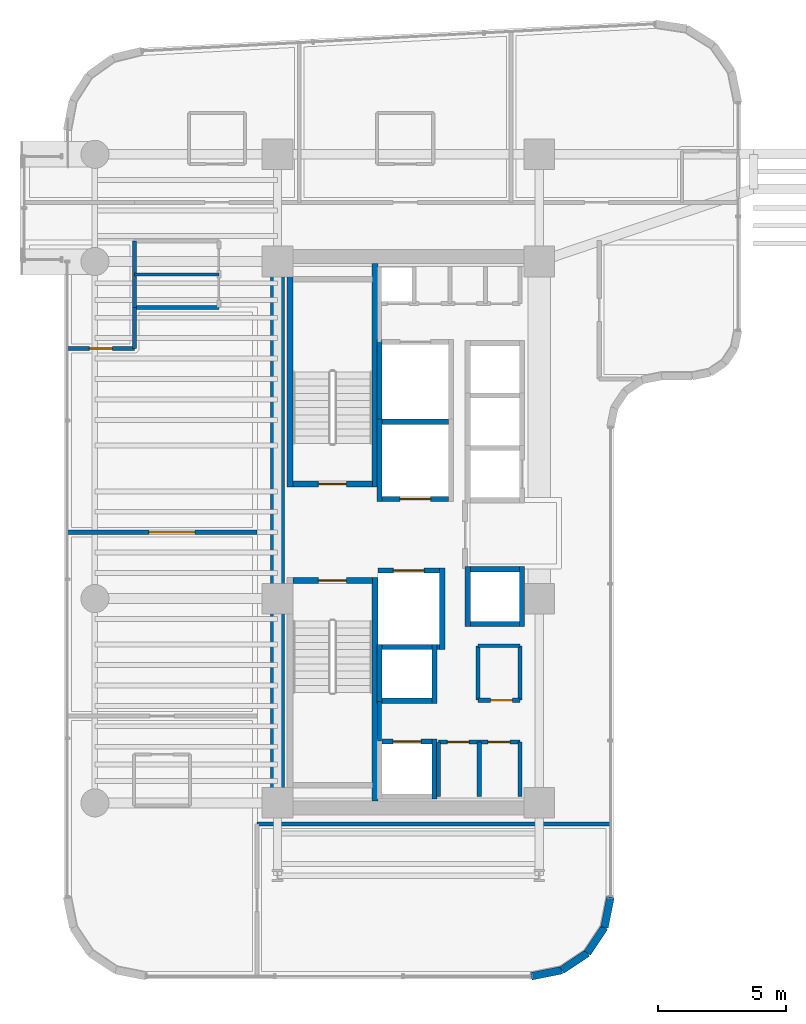
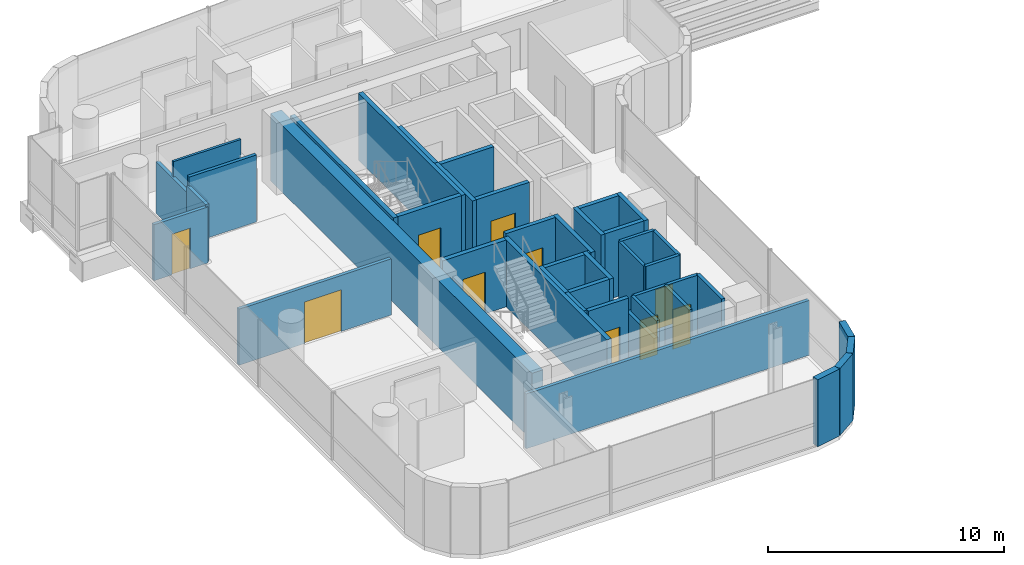
# One storey, part 28 of 36: 42 walls, 10 doors, 10 openings.
"""IFC4 building model written with IfcOpenShell, lengths in metres."""

from ifc_helpers import new_model, si_unit, direction, frame, frame_2d, origin, place, context, subcontext, project, spatial, rectangle, extrude, material, layer, layer_set, type_object, element, fill, save


model = new_model("IFC4")

# Units and contexts
model_context = context("Model", 3, precision=1e-05, world=origin(), true_north=direction((0.0, 1.0)))
body_context = subcontext(model_context, "Body", "Model", "MODEL_VIEW")
ifc_project = project(units=[si_unit("LENGTHUNIT", "METRE"), si_unit("AREAUNIT", "SQUARE_METRE"), si_unit("VOLUMEUNIT", "CUBIC_METRE"), si_unit("PLANEANGLEUNIT", "RADIAN"), si_unit("MASSUNIT", "GRAM", prefix="KILO")], contexts=[model_context])

# Site, building, storey
site_placement = place(None, origin())
site = spatial("IfcSite", under=ifc_project, at=site_placement, CompositionType="ELEMENT")
building_placement = place(site_placement, origin())
building = spatial("IfcBuilding", under=site, at=building_placement, Name="Valdorenza Pilgrim Sanctuary Tower", CompositionType="ELEMENT")
storey_placement = place(building_placement, frame((0.0, 0.0, 153.800048828125)))
storey = spatial("IfcBuildingStorey", under=building, at=storey_placement, Name="L39", CompositionType="ELEMENT", Elevation=153.800048828125)

# Wall
ifc_material_1 = material(Name="Acoustic twin-stud gypsum partition", Category="gypsum")
ifc_layer_1 = layer(ifc_material_1, 0.159912109375, Name="Acoustic twin-stud gypsum partition")
ifc_layer_set_1 = layer_set([ifc_layer_1], Name="Acoustic twin-stud gypsum partition")
wall_type_1 = type_object("IfcWallType", Name="WAL-COR-160", PredefinedType="PARTITIONING", material=ifc_layer_set_1)
wall_1_placement = place(storey_placement, frame((-18.64990234375, -8.179931640625, 0.0), z_axis=(0.0, 0.0, 1.0), x_axis=(0.0, 1.0, 0.0)))
element("IfcWall", 1, at=wall_1_placement, inside=storey, type_object=wall_type_1, Name="L39 Core A South Lift Hall West Wall", PredefinedType="PARTITIONING", context=body_context, shape_type="SweptSolid", body=[
    extrude(rectangle(XDim=1.559814453125, YDim=0.159912109375, at=frame_2d((0.77978515625, 0.0))), origin(), (0.0, 0.0, 1.0), 3.4599609375),
])

# Wall, openings, doors
wall_2_placement = place(storey_placement, frame((-16.35009765625, -8.219970703125, 0.0), z_axis=(0.0, 0.0, 1.0), x_axis=(1.0, 0.0, 0.0)))
wall_2 = element("IfcWall", 2, at=wall_2_placement, inside=storey, type_object=wall_type_1, Name="L39 Freed Shaft 1 North Wall", PredefinedType="PARTITIONING", context=body_context, shape_type="SweptSolid", body=[
    extrude(rectangle(XDim=3.2001953125, YDim=0.159912109375, at=frame_2d((1.60009765625, 0.0))), origin(), (0.0, 0.0, 1.0), 3.4599609375),
])
opening_1_placement = place(wall_2_placement, frame((0.35009765625, 0.0, 0.0)))
opening_1 = element("IfcOpeningElement", 3, at=opening_1_placement, cuts=wall_2, Name="Opening DR-RS1", PredefinedType="OPENING", context=body_context, shape_type="SweptSolid", body=[
    extrude(rectangle(XDim=0.85009765625, YDim=2.050048828125, at=frame_2d((0.425048828125, 1.02490234375))), frame((0.0, 0.0947265625, 0.0), z_axis=(0.0, -1.0, 0.0), x_axis=(1.0, 0.0, 0.0)), (0.0, 0.0, 1.0), 0.189697265625),
])
opening_2_placement = place(wall_2_placement, frame((1.949951171875, 0.0, 0.0)))
opening_2 = element("IfcOpeningElement", 4, at=opening_2_placement, cuts=wall_2, Name="Opening DR-RS1", PredefinedType="OPENING", context=body_context, shape_type="SweptSolid", body=[
    extrude(rectangle(XDim=0.85009765625, YDim=2.050048828125, at=frame_2d((0.425048828125, 1.02490234375))), frame((0.0, 0.0947265625, 0.0), z_axis=(0.0, -1.0, 0.0), x_axis=(1.0, 0.0, 0.0)), (0.0, 0.0, 1.0), 0.189697265625),
])
ifc_material_2 = material(Name="Painted galvanized steel", Category="steel")
door_type_1 = type_object("IfcDoorType", Name="DR-RSR-850", OperationType="NOTDEFINED", PredefinedType="DOOR", material=ifc_material_2)
door_1_placement = place(opening_1_placement, origin())
door_1 = element("IfcDoor", 5, at=door_1_placement, inside=storey, type_object=door_type_1, Name="L39 Linen Store Door", OperationType="SINGLE_SWING_LEFT", OverallHeight=2.050048828125, OverallWidth=0.85009765625, PredefinedType="DOOR", context=body_context, shape_type="SweptSolid", body=[
    extrude(rectangle(XDim=0.85009765625, YDim=2.050048828125, at=frame_2d((0.425048828125, 1.02490234375))), frame((0.0, 0.02490234375, 0.0), z_axis=(0.0, -1.0, 0.0), x_axis=(1.0, 0.0, 0.0)), (0.0, 0.0, 1.0), 0.050048828125),
])
fill(opening_1, door_1)
door_2_placement = place(opening_2_placement, origin())
door_2 = element("IfcDoor", 6, at=door_2_placement, inside=storey, type_object=door_type_1, Name="L39 Cot Store Door", OperationType="SINGLE_SWING_RIGHT", OverallHeight=2.050048828125, OverallWidth=0.85009765625, PredefinedType="DOOR", context=body_context, shape_type="SweptSolid", body=[
    extrude(rectangle(XDim=0.85009765625, YDim=2.050048828125, at=frame_2d((0.425048828125, 1.02490234375))), frame((0.0, 0.02490234375, 0.0), z_axis=(0.0, -1.0, 0.0), x_axis=(1.0, 0.0, 0.0)), (0.0, 0.0, 1.0), 0.050048828125),
])
fill(opening_2, door_2)

# Walls
for number, where, z_axis, x_axis, name in (
    (7, (-13.14990234375, -10.35009765625, 0.0), (0.0, 0.0, 1.0), (0.0, 1.0, 0.0), "L39 Freed Shaft 1 East Wall"),
    (8, (-14.75, -10.35009765625, 0.0), (0.0, 0.0, 1.0), (0.0, 1.0, 0.0), "L39 Freed Shaft 1 Split Wall"),
):
    element("IfcWall", number, at=place(storey_placement, frame(where, z_axis=z_axis, x_axis=x_axis)), inside=storey, type_object=wall_type_1, Name=name, PredefinedType="PARTITIONING", context=body_context, shape_type="SweptSolid", body=[
        extrude(rectangle(XDim=2.130126953125, YDim=0.159912109375, at=frame_2d((1.06494140625, 0.0))), origin(), (0.0, 0.0, 1.0), 3.4599609375),
    ])

# Wall, opening, door
wall_3_placement = place(storey_placement, frame((-14.800048828125, -6.580078125, 0.0), z_axis=(0.0, 0.0, 1.0), x_axis=(1.0, 0.0, 0.0)))
wall_3 = element("IfcWall", 9, at=wall_3_placement, inside=storey, type_object=wall_type_1, Name="L39 Freed Shaft 2 South Wall", PredefinedType="PARTITIONING", context=body_context, shape_type="SweptSolid", body=[
    extrude(rectangle(XDim=1.650146484375, YDim=0.159912109375, at=frame_2d((0.8251953125, 0.0))), origin(), (0.0, 0.0, 1.0), 3.4599609375),
])
opening_3_placement = place(wall_3_placement, frame((0.5, 0.0, 0.0)))
opening_3 = element("IfcOpeningElement", 10, at=opening_3_placement, cuts=wall_3, Name="Opening DR-RS1", PredefinedType="OPENING", context=body_context, shape_type="SweptSolid", body=[
    extrude(rectangle(XDim=0.85009765625, YDim=2.050048828125, at=frame_2d((0.425048828125, 1.02490234375))), frame((0.0, 0.0947265625, 0.0), z_axis=(0.0, -1.0, 0.0), x_axis=(1.0, 0.0, 0.0)), (0.0, 0.0, 1.0), 0.189697265625),
])
door_3_placement = place(opening_3_placement, origin())
door_3 = element("IfcDoor", 11, at=door_3_placement, inside=storey, type_object=door_type_1, Name="L39 Guest Tea Pantry Door", OperationType="SINGLE_SWING_LEFT", OverallHeight=2.050048828125, OverallWidth=0.85009765625, PredefinedType="DOOR", context=body_context, shape_type="SweptSolid", body=[
    extrude(rectangle(XDim=0.85009765625, YDim=2.050048828125, at=frame_2d((0.425048828125, 1.02490234375))), frame((0.0, 0.02490234375, 0.0), z_axis=(0.0, -1.0, 0.0), x_axis=(1.0, 0.0, 0.0)), (0.0, 0.0, 1.0), 0.050048828125),
])
fill(opening_3, door_3)

# Walls
wall_4_placement = place(storey_placement, frame((-13.14990234375, -6.580078125, 0.0), z_axis=(0.0, 0.0, 1.0), x_axis=(0.0, 1.0, 0.0)))
element("IfcWall", 12, at=wall_4_placement, inside=storey, type_object=wall_type_1, Name="L39 Freed Shaft 2 East Wall", PredefinedType="PARTITIONING", context=body_context, shape_type="SweptSolid", body=[
    extrude(rectangle(XDim=2.130126953125, YDim=0.159912109375, at=frame_2d((1.06494140625, 0.0))), origin(), (0.0, 0.0, 1.0), 3.4599609375),
])
wall_5_placement = place(storey_placement, frame((-28.25, 8.800048828125, 0.0), z_axis=(0.0, 0.0, 1.0), x_axis=(0.0, 1.0, 0.0)))
element("IfcWall", 13, at=wall_5_placement, inside=storey, type_object=wall_type_1, Name="L39 Washroom West Wall", PredefinedType="PARTITIONING", context=body_context, shape_type="SweptSolid", body=[
    extrude(rectangle(XDim=2.599853515625, YDim=0.159912109375, at=frame_2d((1.2998046875, 0.0))), origin(), (0.0, 0.0, 1.0), 2.666015625),
])
wall_6_placement = place(storey_placement, frame((-28.25, 8.800048828125, 0.0), z_axis=(0.0, 0.0, 1.0), x_axis=(1.0, 0.0, 0.0)))
element("IfcWall", 14, at=wall_6_placement, inside=storey, type_object=wall_type_1, Name="L39 Washroom South Wall", PredefinedType="PARTITIONING", context=body_context, shape_type="SweptSolid", body=[
    extrude(rectangle(XDim=3.300048828125, YDim=0.159912109375, at=frame_2d((1.64990234375, 0.0))), origin(), (0.0, 0.0, 1.0), 3.4599609375),
])
wall_7_placement = place(storey_placement, frame((-23.449951171875, -11.419921875, 0.0), z_axis=(0.0, 0.0, 1.0), x_axis=(1.0, 0.0, 0.0)))
element("IfcWall", 15, at=wall_7_placement, inside=storey, type_object=wall_type_1, Name="L39 South-East Pocket North Wall", PredefinedType="PARTITIONING", context=body_context, shape_type="SweptSolid", body=[
    extrude(rectangle(XDim=13.83984375, YDim=0.159912109375, at=frame_2d((6.919921875, 0.0))), origin(), (0.0, 0.0, 1.0), 2.833984375),
])

# Wall, opening, door
wall_8_placement = place(storey_placement, frame((-30.889892578125, 7.199951171875, 0.0), z_axis=(0.0, 0.0, 1.0), x_axis=(1.0, 0.0, 0.0)))
wall_8 = element("IfcWall", 16, at=wall_8_placement, inside=storey, type_object=wall_type_1, Name="L39 Cloister North Room Wall", PredefinedType="PARTITIONING", context=body_context, shape_type="SweptSolid", body=[
    extrude(rectangle(XDim=2.639892578125, YDim=0.159912109375, at=frame_2d((1.31982421875, 0.0))), origin(), (0.0, 0.0, 1.0), 2.89599609375),
])
opening_4_placement = place(wall_8_placement, frame((0.8701171875, 0.0, 0.0)))
opening_4 = element("IfcOpeningElement", 17, at=opening_4_placement, cuts=wall_8, Name="Opening DR-RM1", PredefinedType="OPENING", context=body_context, shape_type="SweptSolid", body=[
    extrude(rectangle(XDim=0.89990234375, YDim=2.10009765625, at=frame_2d((0.449951171875, 1.050048828125))), frame((0.0, 0.0947265625, 0.0), z_axis=(0.0, -1.0, 0.0), x_axis=(1.0, 0.0, 0.0)), (0.0, 0.0, 1.0), 0.189697265625),
])
ifc_material_3 = material(Name="Solid-core European oak timber", Category="wood")
door_type_2 = type_object("IfcDoorType", Name="DR-ROOM-900", OperationType="NOTDEFINED", PredefinedType="DOOR", material=ifc_material_3)
door_4_placement = place(opening_4_placement, origin())
door_4 = element("IfcDoor", 18, at=door_4_placement, inside=storey, type_object=door_type_2, Name="L39 Pastoral Scholar Office L39-CN1 Door", OperationType="SINGLE_SWING_RIGHT", OverallHeight=2.10009765625, OverallWidth=0.89990234375, PredefinedType="DOOR", context=body_context, shape_type="SweptSolid", body=[
    extrude(rectangle(XDim=0.89990234375, YDim=2.10009765625, at=frame_2d((0.449951171875, 1.050048828125))), frame((0.0, 0.02490234375, 0.0), z_axis=(0.0, -1.0, 0.0), x_axis=(1.0, 0.0, 0.0)), (0.0, 0.0, 1.0), 0.050048828125),
])
fill(opening_4, door_4)

# Wall
wall_9_placement = place(storey_placement, frame((-28.25, 7.199951171875, 0.0), z_axis=(0.0, 0.0, 1.0), x_axis=(0.0, 1.0, 0.0)))
element("IfcWall", 19, at=wall_9_placement, inside=storey, type_object=wall_type_1, Name="L39 Cloister NE Closure", PredefinedType="PARTITIONING", context=body_context, shape_type="SweptSolid", body=[
    extrude(rectangle(XDim=1.60009765625, YDim=0.159912109375, at=frame_2d((0.800048828125, 0.0))), origin(), (0.0, 0.0, 1.0), 2.988037109375),
])

# Wall, opening, door
wall_10_placement = place(storey_placement, frame((-30.889892578125, 0.0, 0.0), z_axis=(0.0, 0.0, 1.0), x_axis=(1.0, 0.0, 0.0)))
wall_10 = element("IfcWall", 20, at=wall_10_placement, inside=storey, type_object=wall_type_1, Name="L39 Cloister Mid Wall", PredefinedType="PARTITIONING", context=body_context, shape_type="SweptSolid", body=[
    extrude(rectangle(XDim=7.43994140625, YDim=0.159912109375, at=frame_2d((3.719970703125, 0.0))), origin(), (0.0, 0.0, 1.0), 2.89599609375),
])
opening_5_placement = place(wall_10_placement, frame((3.199951171875, 0.0, 0.0)))
opening_5 = element("IfcOpeningElement", 21, at=opening_5_placement, cuts=wall_10, Name="Opening DR-HL1", PredefinedType="OPENING", context=body_context, shape_type="SweptSolid", body=[
    extrude(rectangle(XDim=1.800048828125, YDim=2.14990234375, at=frame_2d((0.89990234375, 1.074951171875))), frame((0.0, 0.0947265625, 0.0), z_axis=(0.0, -1.0, 0.0), x_axis=(1.0, 0.0, 0.0)), (0.0, 0.0, 1.0), 0.189697265625),
])
ifc_material_4 = material(Name="Acoustic oak and vision-glass double door", Category="glass")
door_type_3 = type_object("IfcDoorType", Name="DR-HALL-1800", OperationType="NOTDEFINED", PredefinedType="DOOR", material=ifc_material_4)
door_5_placement = place(opening_5_placement, frame((1.800048828125, 0.0, 0.0), z_axis=(0.0, 0.0, 1.0), x_axis=(-1.0, 0.0, 0.0)))
door_5 = element("IfcDoor", 22, at=door_5_placement, inside=storey, type_object=door_type_3, Name="L39 Cloister Mid Double Door", OperationType="DOUBLE_DOOR_SINGLE_SWING", OverallHeight=2.14990234375, OverallWidth=1.800048828125, PredefinedType="DOOR", context=body_context, shape_type="SweptSolid", body=[
    extrude(rectangle(XDim=1.800048828125, YDim=2.14990234375, at=frame_2d((0.89990234375, 1.074951171875))), frame((0.0, 0.02490234375, 0.0), z_axis=(0.0, -1.0, 0.0), x_axis=(1.0, 0.0, 0.0)), (0.0, 0.0, 1.0), 0.050048828125),
])
fill(opening_5, door_5)

# Walls
ifc_material_5 = material(Name="Concrete C50/60", Category="concrete")
ifc_layer_2 = layer(ifc_material_5, 0.550048828125, Name="Concrete C50/60")
ifc_layer_set_2 = layer_set([ifc_layer_2], Name="Concrete C50/60")
wall_type_2 = type_object("IfcWallType", Name="WAL-COR-550", PredefinedType="SHEAR", material=ifc_layer_set_2)
wall_11_placement = place(storey_placement, frame((-22.64990234375, -11.074951171875, 0.0), z_axis=(0.0, 0.0, 1.0), x_axis=(0.0, 1.0, 0.0)))
element("IfcWall", 23, at=wall_11_placement, inside=storey, type_object=wall_type_2, Name="L39 Split Core A Shear Wall W", PredefinedType="SHEAR", context=body_context, shape_type="SweptSolid", body=[
    extrude(rectangle(XDim=22.14990234375, YDim=0.550048828125, at=frame_2d((11.074951171875, 0.0))), origin(), (0.0, 0.0, 1.0), 3.4599609375),
])
ifc_material_6 = material(Name="Honed travertine limestone", Category="masonry")
ifc_layer_3 = layer(ifc_material_6, 0.300048828125, Name="Honed travertine limestone")
ifc_layer_set_3 = layer_set([ifc_layer_3], Name="Honed travertine limestone")
wall_type_3 = type_object("IfcWallType", Name="WAL-EXT-300", PredefinedType="SOLIDWALL", material=ifc_layer_set_3)
wall_12_placement = place(storey_placement, frame((-9.610107421875, -14.289306640625, 0.0), z_axis=(0.0, 0.0, 1.0), x_axis=(-0.194996050505, -0.980804027463, 0.0)))
element("IfcWall", 24, at=wall_12_placement, inside=storey, type_object=wall_type_3, Name="L39 Rounded Wind-Corner Stone Pier 22", PredefinedType="SOLIDWALL", context=body_context, shape_type="SweptSolid", body=[
    extrude(rectangle(XDim=1.2158203125, YDim=0.300048828125, at=frame_2d((0.60791015625, 0.0))), origin(), (0.0, 0.0, 1.0), 3.4599609375),
])
for number, where, z_axis, x_axis, name in (
    (25, (-9.84716796875, -15.481689453125, 0.0), (0.0, 0.0, 1.0), (-0.555635100982, -0.831426265255, 0.0), "L39 Rounded Wind-Corner Stone Pier 23"),
    (26, (-10.5166015625, -16.4833984375, 0.0), (0.0, 0.0, 1.0), (-0.831426265255, -0.555635100982, 0.0), "L39 Rounded Wind-Corner Stone Pier 24"),
):
    element("IfcWall", number, at=place(storey_placement, frame(where, z_axis=z_axis, x_axis=x_axis)), inside=storey, type_object=wall_type_3, Name=name, PredefinedType="SOLIDWALL", context=body_context, shape_type="SweptSolid", body=[
        extrude(rectangle(XDim=1.204833984375, YDim=0.300048828125, at=frame_2d((0.6025390625, 0.0))), origin(), (0.0, 0.0, 1.0), 3.4599609375),
    ])
wall_13_placement = place(storey_placement, frame((-11.518310546875, -17.15283203125, 0.0), z_axis=(0.0, 0.0, 1.0), x_axis=(-0.980804027463, -0.194996050505, 0.0)))
element("IfcWall", 27, at=wall_13_placement, inside=storey, type_object=wall_type_3, Name="L39 Rounded Wind-Corner Stone Pier 25", PredefinedType="SOLIDWALL", context=body_context, shape_type="SweptSolid", body=[
    extrude(rectangle(XDim=1.2158203125, YDim=0.300048828125, at=frame_2d((0.60791015625, 0.0))), origin(), (0.0, 0.0, 1.0), 3.4599609375),
])
ifc_material_7 = material(Name="Moisture-resistant gypsum partition", Category="gypsum")
ifc_layer_4 = layer(ifc_material_7, 0.1201171875, Name="Moisture-resistant gypsum partition")
ifc_layer_set_4 = layer_set([ifc_layer_4], Name="Moisture-resistant gypsum partition")
wall_type_4 = type_object("IfcWallType", Name="WAL-INT-120", PredefinedType="PARTITIONING", material=ifc_layer_set_4)
wall_14_placement = place(storey_placement, frame((-28.25, 10.10009765625, 0.0), z_axis=(0.0, 0.0, 1.0), x_axis=(1.0, 0.0, 0.0)))
element("IfcWall", 28, at=wall_14_placement, inside=storey, type_object=wall_type_4, Name="L39 Washroom Divider Wall", PredefinedType="PARTITIONING", context=body_context, shape_type="SweptSolid", body=[
    extrude(rectangle(XDim=3.300048828125, YDim=0.1201171875, at=frame_2d((1.64990234375, 0.0))), origin(), (0.0, 0.0, 1.0), 3.4599609375),
])
ifc_material_8 = material(Name="Autoclaved aerated concrete blockwork", Category="masonry")
ifc_layer_5 = layer(ifc_material_8, 0.199951171875, Name="Autoclaved aerated concrete blockwork")
ifc_layer_set_5 = layer_set([ifc_layer_5], Name="Autoclaved aerated concrete blockwork")
wall_type_5 = type_object("IfcWallType", Name="WAL-SHF-200", PredefinedType="MOVABLE", material=ifc_layer_set_5)
wall_15_placement = place(storey_placement, frame((-18.64990234375, 1.199951171875, 0.0), z_axis=(0.0, 0.0, 1.0), x_axis=(0.0, 1.0, 0.0)))
element("IfcWall", 29, at=wall_15_placement, inside=storey, type_object=wall_type_5, Name="L39 Lift FFL-01 Hoistway Wall West", PredefinedType="MOVABLE", context=body_context, shape_type="SweptSolid", body=[
    extrude(rectangle(XDim=3.22509765625, YDim=0.199951171875, at=frame_2d((1.612548828125, 0.0))), origin(), (0.0, 0.0, 1.0), 3.4599609375),
])

# Wall, opening, door
wall_16_placement = place(storey_placement, frame((-18.550048828125, 1.300048828125, 0.0), z_axis=(0.0, 0.0, 1.0), x_axis=(1.0, 0.0, 0.0)))
wall_16 = element("IfcWall", 30, at=wall_16_placement, inside=storey, type_object=wall_type_5, Name="L39 Lift FFL-01 Hoistway Wall South", PredefinedType="MOVABLE", context=body_context, shape_type="SweptSolid", body=[
    extrude(rectangle(XDim=2.60009765625, YDim=0.199951171875, at=frame_2d((1.300048828125, 0.0))), origin(), (0.0, 0.0, 1.0), 3.4599609375),
])
opening_6_placement = place(wall_16_placement, frame((0.699951171875, 0.0, 0.0)))
opening_6 = element("IfcOpeningElement", 31, at=opening_6_placement, cuts=wall_16, Name="Opening LD-02", PredefinedType="OPENING", context=body_context, shape_type="SweptSolid", body=[
    extrude(rectangle(XDim=1.199951171875, YDim=2.10009765625, at=frame_2d((0.60009765625, 1.050048828125))), frame((0.0, 0.11474609375, 0.0), z_axis=(0.0, -1.0, 0.0), x_axis=(1.0, 0.0, 0.0)), (0.0, 0.0, 1.0), 0.229736328125),
])
ifc_material_9 = material(Name="Brushed stainless steel Grade 316", Category="steel")
door_type_4 = type_object("IfcDoorType", Name="DR-LFT-1200", OperationType="DOUBLE_DOOR_SLIDING", PredefinedType="DOOR", material=ifc_material_9)
door_6_placement = place(opening_6_placement, origin())
door_6 = element("IfcDoor", 32, at=door_6_placement, inside=storey, type_object=door_type_4, Name="L39 Lift FFL-01 Sliding Landing Door", OperationType="DOUBLE_DOOR_SLIDING", OverallHeight=2.10009765625, OverallWidth=1.199951171875, PredefinedType="DOOR", context=body_context, shape_type="SweptSolid", body=[
    extrude(rectangle(XDim=1.199951171875, YDim=2.10009765625, at=frame_2d((0.60009765625, 1.050048828125))), frame((0.0, 0.02490234375, 0.0), z_axis=(0.0, -1.0, 0.0), x_axis=(1.0, 0.0, 0.0)), (0.0, 0.0, 1.0), 0.050048828125),
])
fill(opening_6, door_6)

# Walls
wall_17_placement = place(storey_placement, frame((-18.550048828125, 4.324951171875, 0.0), z_axis=(0.0, 0.0, 1.0), x_axis=(1.0, 0.0, 0.0)))
element("IfcWall", 33, at=wall_17_placement, inside=storey, type_object=wall_type_5, Name="L39 Lift FFL-01 Hoistway Wall North", PredefinedType="MOVABLE", context=body_context, shape_type="SweptSolid", body=[
    extrude(rectangle(XDim=2.60009765625, YDim=0.199951171875, at=frame_2d((1.300048828125, 0.0))), origin(), (0.0, 0.0, 1.0), 3.4599609375),
])
wall_18_placement = place(storey_placement, frame((-16.199951171875, -4.60009765625, 0.0), z_axis=(0.0, 0.0, 1.0), x_axis=(0.0, 1.0, 0.0)))
element("IfcWall", 34, at=wall_18_placement, inside=storey, type_object=wall_type_5, Name="L39 Lift FFL-02 Hoistway Wall East", PredefinedType="MOVABLE", context=body_context, shape_type="SweptSolid", body=[
    extrude(rectangle(XDim=3.2001953125, YDim=0.199951171875, at=frame_2d((1.60009765625, 0.0))), origin(), (0.0, 0.0, 1.0), 3.4599609375),
])
wall_19_placement = place(storey_placement, frame((-18.719970703125, -4.5, 0.0), z_axis=(0.0, 0.0, 1.0), x_axis=(1.0, 0.0, 0.0)))
element("IfcWall", 35, at=wall_19_placement, inside=storey, type_object=wall_type_5, Name="L39 Lift FFL-02 Hoistway Wall South", PredefinedType="MOVABLE", context=body_context, shape_type="SweptSolid", body=[
    extrude(rectangle(XDim=2.419921875, YDim=0.199951171875, at=frame_2d((1.2099609375, 0.0))), origin(), (0.0, 0.0, 1.0), 3.4599609375),
])

# Wall, opening, door
wall_20_placement = place(storey_placement, frame((-18.719970703125, -1.5, 0.0), z_axis=(0.0, 0.0, 1.0), x_axis=(1.0, 0.0, 0.0)))
wall_20 = element("IfcWall", 36, at=wall_20_placement, inside=storey, type_object=wall_type_5, Name="L39 Lift FFL-02 Hoistway Wall North", PredefinedType="MOVABLE", context=body_context, shape_type="SweptSolid", body=[
    extrude(rectangle(XDim=2.419921875, YDim=0.199951171875, at=frame_2d((1.2099609375, 0.0))), origin(), (0.0, 0.0, 1.0), 3.4599609375),
])
opening_7_placement = place(wall_20_placement, frame((0.610107421875, 0.0, 0.0)))
opening_7 = element("IfcOpeningElement", 37, at=opening_7_placement, cuts=wall_20, Name="Opening LD-02", PredefinedType="OPENING", context=body_context, shape_type="SweptSolid", body=[
    extrude(rectangle(XDim=1.199951171875, YDim=2.10009765625, at=frame_2d((0.60009765625, 1.050048828125))), frame((0.0, 0.11474609375, 0.0), z_axis=(0.0, -1.0, 0.0), x_axis=(1.0, 0.0, 0.0)), (0.0, 0.0, 1.0), 0.229736328125),
])
door_7_placement = place(opening_7_placement, origin())
door_7 = element("IfcDoor", 38, at=door_7_placement, inside=storey, type_object=door_type_4, Name="L39 Lift FFL-02 Sliding Landing Door", OperationType="DOUBLE_DOOR_SLIDING", OverallHeight=2.10009765625, OverallWidth=1.199951171875, PredefinedType="DOOR", context=body_context, shape_type="SweptSolid", body=[
    extrude(rectangle(XDim=1.199951171875, YDim=2.10009765625, at=frame_2d((0.60009765625, 1.050048828125))), frame((0.0, 0.02490234375, 0.0), z_axis=(0.0, -1.0, 0.0), x_axis=(1.0, 0.0, 0.0)), (0.0, 0.0, 1.0), 0.050048828125),
])
fill(opening_7, door_7)

# Walls
wall_21_placement = place(storey_placement, frame((-18.64990234375, 4.22509765625, 0.0), z_axis=(0.0, 0.0, 1.0), x_axis=(0.0, 1.0, 0.0)))
element("IfcWall", 39, at=wall_21_placement, inside=storey, type_object=wall_type_5, Name="L39 Lift SVL-01 Hoistway Wall West", PredefinedType="MOVABLE", context=body_context, shape_type="SweptSolid", body=[
    extrude(rectangle(XDim=3.324951171875, YDim=0.199951171875, at=frame_2d((1.66259765625, 0.0))), origin(), (0.0, 0.0, 1.0), 3.4599609375),
])
wall_22_placement = place(storey_placement, frame((-16.5, -10.449951171875, 0.0), z_axis=(0.0, 0.0, 1.0), x_axis=(0.0, 1.0, 0.0)))
element("IfcWall", 40, at=wall_22_placement, inside=storey, type_object=wall_type_5, Name="L39 Lift PL-05 Hoistway Wall East", PredefinedType="MOVABLE", context=body_context, shape_type="SweptSolid", body=[
    extrude(rectangle(XDim=2.349853515625, YDim=0.199951171875, at=frame_2d((1.1748046875, 0.0))), origin(), (0.0, 0.0, 1.0), 2.666015625),
])

# Wall, opening, door
wall_23_placement = place(storey_placement, frame((-18.550048828125, -8.199951171875, 0.0), z_axis=(0.0, 0.0, 1.0), x_axis=(1.0, 0.0, 0.0)))
wall_23 = element("IfcWall", 41, at=wall_23_placement, inside=storey, type_object=wall_type_5, Name="L39 Lift PL-05 Hoistway Wall North", PredefinedType="MOVABLE", context=body_context, shape_type="SweptSolid", body=[
    extrude(rectangle(XDim=1.949951171875, YDim=0.199951171875, at=frame_2d((0.97509765625, 0.0))), origin(), (0.0, 0.0, 1.0), 3.4599609375),
])
opening_8_placement = place(wall_23_placement, frame((0.425048828125, 0.0, 0.0)))
opening_8 = element("IfcOpeningElement", 42, at=opening_8_placement, cuts=wall_23, Name="Opening LD-01", PredefinedType="OPENING", context=body_context, shape_type="SweptSolid", body=[
    extrude(rectangle(XDim=1.10009765625, YDim=2.10009765625, at=frame_2d((0.550048828125, 1.050048828125))), frame((0.0, 0.11474609375, 0.0), z_axis=(0.0, -1.0, 0.0), x_axis=(1.0, 0.0, 0.0)), (0.0, 0.0, 1.0), 0.229736328125),
])
door_type_5 = type_object("IfcDoorType", Name="DR-LFT-1100", OperationType="DOUBLE_DOOR_SLIDING", PredefinedType="DOOR", material=ifc_material_9)
door_8_placement = place(opening_8_placement, origin())
door_8 = element("IfcDoor", 43, at=door_8_placement, inside=storey, type_object=door_type_5, Name="L39 Lift PL-05 Sliding Landing Door", OperationType="DOUBLE_DOOR_SLIDING", OverallHeight=2.10009765625, OverallWidth=1.10009765625, PredefinedType="DOOR", context=body_context, shape_type="SweptSolid", body=[
    extrude(rectangle(XDim=1.10009765625, YDim=2.10009765625, at=frame_2d((0.550048828125, 1.050048828125))), frame((0.0, 0.02490234375, 0.0), z_axis=(0.0, -1.0, 0.0), x_axis=(1.0, 0.0, 0.0)), (0.0, 0.0, 1.0), 0.050048828125),
])
fill(opening_8, door_8)

# Walls
for number, where, z_axis, x_axis, name in (
    (44, (-18.64990234375, -6.699951171875, 0.0), (0.0, 0.0, 1.0), (0.0, 1.0, 0.0), "L39 Lift PL-11 Hoistway Wall West"),
    (45, (-16.5, -6.699951171875, 0.0), (0.0, 0.0, 1.0), (0.0, 1.0, 0.0), "L39 Lift PL-11 Hoistway Wall East"),
):
    element("IfcWall", number, at=place(storey_placement, frame(where, z_axis=z_axis, x_axis=x_axis)), inside=storey, type_object=wall_type_5, Name=name, PredefinedType="MOVABLE", context=body_context, shape_type="SweptSolid", body=[
        extrude(rectangle(XDim=2.300048828125, YDim=0.199951171875, at=frame_2d((1.14990234375, 0.0))), origin(), (0.0, 0.0, 1.0), 3.4599609375),
    ])
wall_24_placement = place(storey_placement, frame((-18.550048828125, -6.60009765625, 0.0), z_axis=(0.0, 0.0, 1.0), x_axis=(1.0, 0.0, 0.0)))
element("IfcWall", 46, at=wall_24_placement, inside=storey, type_object=wall_type_5, Name="L39 Lift PL-11 Hoistway Wall South", PredefinedType="MOVABLE", context=body_context, shape_type="SweptSolid", body=[
    extrude(rectangle(XDim=1.949951171875, YDim=0.199951171875, at=frame_2d((0.97509765625, 0.0))), origin(), (0.0, 0.0, 1.0), 3.4599609375),
])
for number, where, z_axis, x_axis, name in (
    (47, (-15.199951171875, -3.699951171875, 0.0), (0.0, 0.0, 1.0), (0.0, 1.0, 0.0), "L39 Lift PL-12 Hoistway Wall West"),
    (48, (-13.080078125, -3.699951171875, 0.0), (0.0, 0.0, 1.0), (0.0, 1.0, 0.0), "L39 Lift PL-12 Hoistway Wall East"),
):
    element("IfcWall", number, at=place(storey_placement, frame(where, z_axis=z_axis, x_axis=x_axis)), inside=storey, type_object=wall_type_5, Name=name, PredefinedType="MOVABLE", context=body_context, shape_type="SweptSolid", body=[
        extrude(rectangle(XDim=2.349853515625, YDim=0.199951171875, at=frame_2d((1.1748046875, 0.0))), origin(), (0.0, 0.0, 1.0), 3.4599609375),
    ])
for number, where, z_axis, x_axis, name in (
    (49, (-15.10009765625, -3.60009765625, 0.0), (0.0, 0.0, 1.0), (1.0, 0.0, 0.0), "L39 Lift PL-12 Hoistway Wall South"),
    (50, (-15.10009765625, -1.449951171875, 0.0), (0.0, 0.0, 1.0), (1.0, 0.0, 0.0), "L39 Lift PL-12 Hoistway Wall North"),
):
    element("IfcWall", number, at=place(storey_placement, frame(where, z_axis=z_axis, x_axis=x_axis)), inside=storey, type_object=wall_type_5, Name=name, PredefinedType="MOVABLE", context=body_context, shape_type="SweptSolid", body=[
        extrude(rectangle(XDim=1.920166015625, YDim=0.199951171875, at=frame_2d((0.9599609375, 0.0))), origin(), (0.0, 0.0, 1.0), 3.4599609375),
    ])
ifc_material_10 = material(Name="Concrete C40/50", Category="concrete")
ifc_layer_6 = layer(ifc_material_10, 0.219970703125, Name="Concrete C40/50")
ifc_layer_set_6 = layer_set([ifc_layer_6], Name="Concrete C40/50")
wall_type_6 = type_object("IfcWallType", Name="WAL-STR-SHF-220", PredefinedType="SHEAR", material=ifc_layer_set_6)
for number, where, z_axis, x_axis, name in (
    (51, (-22.159912109375, 1.780029296875, 0.0), (0.0, 0.0, 1.0), (0.0, 1.0, 0.0), "L39 ST-A1 Structural Stairwell Wall W"),
    (52, (-18.830078125, 1.780029296875, 0.0), (0.0, 0.0, 1.0), (0.0, 1.0, 0.0), "L39 ST-A1 Structural Stairwell Wall E"),
):
    element("IfcWall", number, at=place(storey_placement, frame(where, z_axis=z_axis, x_axis=x_axis)), inside=storey, type_object=wall_type_6, Name=name, PredefinedType="SHEAR", context=body_context, shape_type="SweptSolid", body=[
        extrude(rectangle(XDim=8.744873046875, YDim=0.219970703125, at=frame_2d((4.37255859375, 0.0))), origin(), (0.0, 0.0, 1.0), 3.4599609375),
    ])

# Wall, opening, door
wall_25_placement = place(storey_placement, frame((-22.050048828125, 1.889892578125, 0.0), z_axis=(0.0, 0.0, 1.0), x_axis=(1.0, 0.0, 0.0)))
wall_25 = element("IfcWall", 53, at=wall_25_placement, inside=storey, type_object=wall_type_6, Name="L39 ST-A1 Structural Stairwell Wall S", PredefinedType="SHEAR", context=body_context, shape_type="SweptSolid", body=[
    extrude(rectangle(XDim=3.110107421875, YDim=0.219970703125, at=frame_2d((1.55517578125, 0.0))), origin(), (0.0, 0.0, 1.0), 3.4599609375),
])
opening_9_placement = place(wall_25_placement, frame((1.0, 0.0, 0.0)))
opening_9 = element("IfcOpeningElement", 54, at=opening_9_placement, cuts=wall_25, Name="Opening DR-ST1", PredefinedType="OPENING", context=body_context, shape_type="SweptSolid", body=[
    extrude(rectangle(XDim=1.10009765625, YDim=2.14990234375, at=frame_2d((0.550048828125, 1.074951171875))), frame((0.0, 0.125, 0.0), z_axis=(0.0, -1.0, 0.0), x_axis=(1.0, 0.0, 0.0)), (0.0, 0.0, 1.0), 0.249755859375),
])
door_type_6 = type_object("IfcDoorType", Name="DR-STAIR-1100", OperationType="NOTDEFINED", PredefinedType="DOOR", material=ifc_material_2)
door_9_placement = place(opening_9_placement, frame((1.10009765625, 0.0, 0.0), z_axis=(0.0, 0.0, 1.0), x_axis=(-1.0, 0.0, 0.0)))
door_9 = element("IfcDoor", 55, at=door_9_placement, inside=storey, type_object=door_type_6, Name="L39 Exit Stair ST-A1 Door", OperationType="SINGLE_SWING_LEFT", OverallHeight=2.14990234375, OverallWidth=1.10009765625, PredefinedType="DOOR", context=body_context, shape_type="SweptSolid", body=[
    extrude(rectangle(XDim=1.10009765625, YDim=2.14990234375, at=frame_2d((0.550048828125, 1.074951171875))), frame((0.0, 0.02490234375, 0.0), z_axis=(0.0, -1.0, 0.0), x_axis=(1.0, 0.0, 0.0)), (0.0, 0.0, 1.0), 0.050048828125),
])
fill(opening_9, door_9)

# Wall
wall_26_placement = place(storey_placement, frame((-18.830078125, -10.52490234375, 0.0), z_axis=(0.0, 0.0, 1.0), x_axis=(0.0, 1.0, 0.0)))
element("IfcWall", 56, at=wall_26_placement, inside=storey, type_object=wall_type_6, Name="L39 ST-A2 Structural Stairwell Wall E", PredefinedType="SHEAR", context=body_context, shape_type="SweptSolid", body=[
    extrude(rectangle(XDim=8.744873046875, YDim=0.219970703125, at=frame_2d((4.37255859375, 0.0))), origin(), (0.0, 0.0, 1.0), 3.4599609375),
])

# Wall, opening, door
wall_27_placement = place(storey_placement, frame((-22.050048828125, -1.889892578125, 0.0), z_axis=(0.0, 0.0, 1.0), x_axis=(1.0, 0.0, 0.0)))
wall_27 = element("IfcWall", 57, at=wall_27_placement, inside=storey, type_object=wall_type_6, Name="L39 ST-A2 Structural Stairwell Wall N", PredefinedType="SHEAR", context=body_context, shape_type="SweptSolid", body=[
    extrude(rectangle(XDim=3.110107421875, YDim=0.219970703125, at=frame_2d((1.55517578125, 0.0))), origin(), (0.0, 0.0, 1.0), 3.4599609375),
])
opening_10_placement = place(wall_27_placement, frame((1.0, 0.0, 0.0)))
opening_10 = element("IfcOpeningElement", 58, at=opening_10_placement, cuts=wall_27, Name="Opening DR-ST1", PredefinedType="OPENING", context=body_context, shape_type="SweptSolid", body=[
    extrude(rectangle(XDim=1.10009765625, YDim=2.14990234375, at=frame_2d((0.550048828125, 1.074951171875))), frame((0.0, 0.125, 0.0), z_axis=(0.0, -1.0, 0.0), x_axis=(1.0, 0.0, 0.0)), (0.0, 0.0, 1.0), 0.249755859375),
])
door_10_placement = place(opening_10_placement, origin())
door_10 = element("IfcDoor", 59, at=door_10_placement, inside=storey, type_object=door_type_6, Name="L39 Exit Stair ST-A2 Door", OperationType="SINGLE_SWING_RIGHT", OverallHeight=2.14990234375, OverallWidth=1.10009765625, PredefinedType="DOOR", context=body_context, shape_type="SweptSolid", body=[
    extrude(rectangle(XDim=1.10009765625, YDim=2.14990234375, at=frame_2d((0.550048828125, 1.074951171875))), frame((0.0, 0.02490234375, 0.0), z_axis=(0.0, -1.0, 0.0), x_axis=(1.0, 0.0, 0.0)), (0.0, 0.0, 1.0), 0.050048828125),
])
fill(opening_10, door_10)

# Walls
ifc_layer_7 = layer(ifc_material_1, 0.14990234375, Name="Acoustic twin-stud gypsum partition")
ifc_layer_set_7 = layer_set([ifc_layer_7], Name="Acoustic twin-stud gypsum partition")
wall_type_7 = type_object("IfcWallType", Name="WAL-UNT-150", PredefinedType="PARTITIONING", material=ifc_layer_set_7)
for number, where, z_axis, x_axis, name in (
    (60, (-16.35009765625, -10.35009765625, 0.0), (0.0, 0.0, 1.0), (0.0, 1.0, 0.0), "L39 Freed Shaft 1 West Wall"),
    (61, (-14.800048828125, -6.580078125, 0.0), (0.0, 0.0, 1.0), (0.0, 1.0, 0.0), "L39 Freed Shaft 2 West Wall"),
):
    element("IfcWall", number, at=place(storey_placement, frame(where, z_axis=z_axis, x_axis=x_axis)), inside=storey, type_object=wall_type_7, Name=name, PredefinedType="PARTITIONING", context=body_context, shape_type="SweptSolid", body=[
        extrude(rectangle(XDim=2.130126953125, YDim=0.14990234375, at=frame_2d((1.06494140625, 0.0))), origin(), (0.0, 0.0, 1.0), 3.4599609375),
    ])
wall_28_placement = place(storey_placement, frame((-14.800048828125, -4.449951171875, 0.0), z_axis=(0.0, 0.0, 1.0), x_axis=(1.0, 0.0, 0.0)))
element("IfcWall", 62, at=wall_28_placement, inside=storey, type_object=wall_type_7, Name="L39 Freed Shaft 2 North Wall", PredefinedType="PARTITIONING", context=body_context, shape_type="SweptSolid", body=[
    extrude(rectangle(XDim=1.650146484375, YDim=0.14990234375, at=frame_2d((0.8251953125, 0.0))), origin(), (0.0, 0.0, 1.0), 3.4599609375),
])

save(model, "model.ifc")
